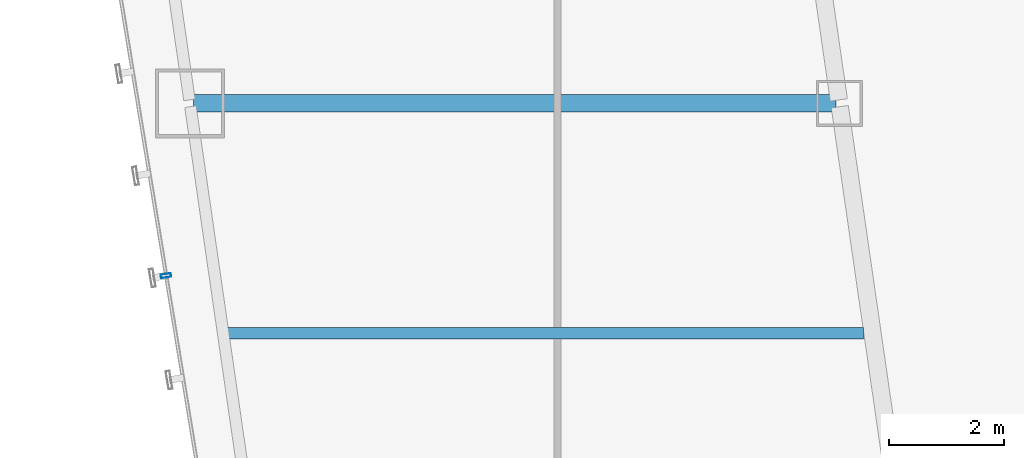
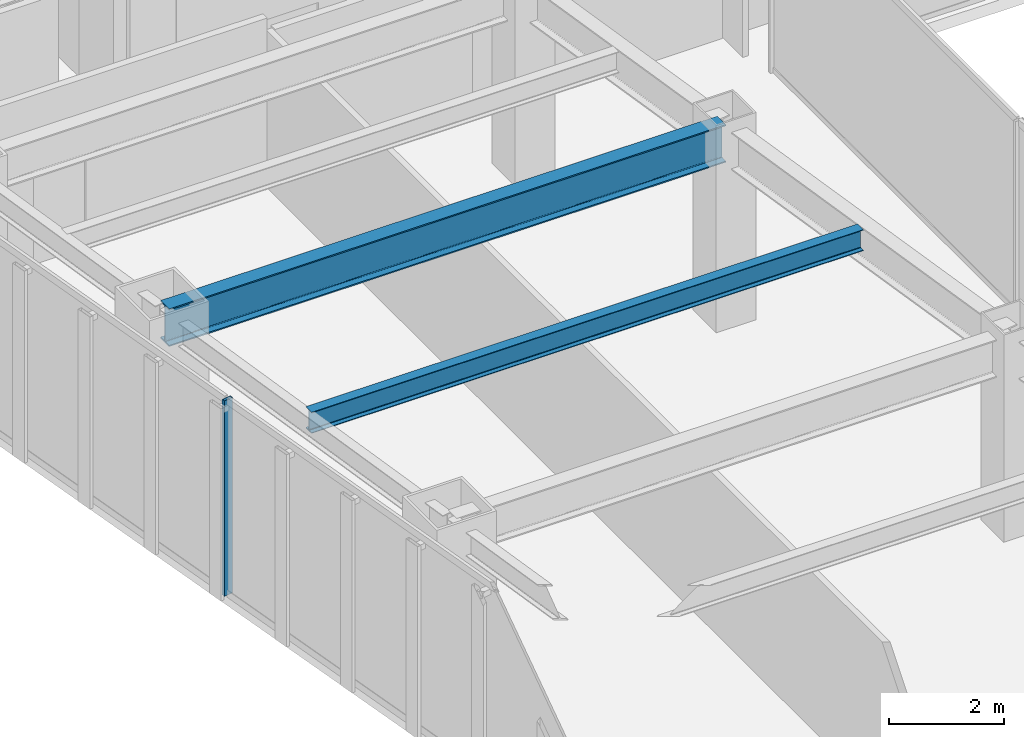
# One storey, part 11 of 47: 2 beams, 1 member, 1 element without a shape of its own.
"""IFC4 building model written with IfcOpenShell, lengths in metres."""

from ifc_helpers import new_model, si_unit, direction, frame, origin, origin_2d, place, context, subcontext, project, spatial, hollow_rectangle, i_section, extrude, material, material_profile, profile_set, type_object, element, aggregate, save


model = new_model("IFC4")

# Units and contexts
model_context = context("Model", 3, precision=1e-05, world=origin(), true_north=direction((0.0, 1.0)))
body_context = subcontext(model_context, "Body", "Model", "MODEL_VIEW")
ifc_project = project(units=[si_unit("LENGTHUNIT", "METRE"), si_unit("AREAUNIT", "SQUARE_METRE"), si_unit("VOLUMEUNIT", "CUBIC_METRE"), si_unit("PLANEANGLEUNIT", "RADIAN"), si_unit("MASSUNIT", "GRAM", prefix="KILO")], contexts=[model_context])

# Site, building, storey
site_placement = place(None, origin())
site = spatial("IfcSite", under=ifc_project, at=site_placement, CompositionType="ELEMENT")
building_placement = place(site_placement, origin())
building = spatial("IfcBuilding", under=site, at=building_placement, Name="Saevonmaru Cultural Tower", CompositionType="ELEMENT")
storey_placement = place(building_placement, frame((0.0, 0.0, 64.800048828125)))
storey = spatial("IfcBuildingStorey", under=building, at=storey_placement, Name="L13", CompositionType="ELEMENT", Elevation=64.800048828125)

# Beams
ifc_material_1 = material(Name="Steel SM420", Category="steel")
ifc_material_profile_1 = material_profile(ifc_material_1, i_section(OverallWidth=0.300048828125, OverallDepth=0.800048828125, WebThickness=0.013916015625, FlangeThickness=0.02587890625, FilletRadius=0.028076171875, at=origin_2d()), Name="H-800x300x14x26")
ifc_profile_set_1 = profile_set([ifc_material_profile_1], Name="Steel SM420")
beam_type_1 = type_object("IfcBeamType", Name="BM-G-H800", PredefinedType="BEAM", material=ifc_profile_set_1)
beam_1_placement = place(storey_placement, frame((8.376953125, 32.0, 3.75), z_axis=(1.0, 0.0, 0.0), x_axis=(0.0, 1.0, 0.0)))
element("IfcBeam", 1, at=beam_1_placement, inside=storey, type_object=beam_type_1, Name="L13 West Wing Transverse Girder 5", PredefinedType="BEAM", context=body_context, shape_type="SweptSolid", body=[
    extrude(i_section(OverallWidth=0.300048828125, OverallDepth=0.800048828125, WebThickness=0.013916015625, FlangeThickness=0.02587890625, FilletRadius=0.028076171875, at=origin_2d()), origin(), (0.0, 0.0, 1.0), 11.179931640625),
])
ifc_material_2 = material(Name="Steel SM355", Category="steel")
ifc_material_profile_2 = material_profile(ifc_material_2, i_section(OverallWidth=0.199951171875, OverallDepth=0.449951171875, WebThickness=0.009033203125, FlangeThickness=0.013916015625, FilletRadius=0.01806640625, at=origin_2d()), Name="H-450x200x9x14")
ifc_profile_set_2 = profile_set([ifc_material_profile_2], Name="Steel SM355")
beam_type_2 = type_object("IfcBeamType", Name="BM-J-H450", PredefinedType="JOIST", material=ifc_profile_set_2)
beam_2_placement = place(storey_placement, frame((8.95458984375, 28.0, 3.925048828125), z_axis=(1.0, 0.0, 0.0), x_axis=(0.0, 1.0, 0.0)))
element("IfcBeam", 2, at=beam_2_placement, inside=storey, type_object=beam_type_2, Name="L13 West Wing Floor Joist 4", PredefinedType="JOIST", context=body_context, shape_type="SweptSolid", body=[
    extrude(i_section(OverallWidth=0.199951171875, OverallDepth=0.449951171875, WebThickness=0.009033203125, FlangeThickness=0.013916015625, FilletRadius=0.01806640625, at=origin_2d()), origin(), (0.0, 0.0, 1.0), 11.08203125),
])

# Curtain wall, member
ifc_material_3 = material(Name="Satin Bronze Anodised Aluminium", Category="aluminium")
curtain_wall_type = type_object("IfcCurtainWallType", Name="CW-TYP-A", PredefinedType="NOTDEFINED", material=ifc_material_3)
curtain_wall_placement = place(storey_placement, origin())
curtain_wall = element("IfcCurtainWall", 3, at=curtain_wall_placement, inside=storey, type_object=curtain_wall_type, Name="L13 Unitised Curtain Wall E12", PredefinedType="NOTDEFINED")
ifc_material_profile_3 = material_profile(ifc_material_3, hollow_rectangle(XDim=0.06494140625, YDim=0.179931640625, WallThickness=0.00390625, at=origin_2d()), Name="ALU-MULL-180x65x4")
ifc_profile_set_3 = profile_set([ifc_material_profile_3], Name="Satin Bronze Anodised Aluminium")
member_type = type_object("IfcMemberType", Name="ML-CW-180x65", PredefinedType="MULLION", material=ifc_profile_set_3)
member_placement = place(storey_placement, frame((7.89990234375, 29.0, 0.0), z_axis=(0.0, 0.0, 1.0), x_axis=(0.161708868641, -0.986838508472, 0.0)))
member = element("IfcMember", 4, at=member_placement, type_object=member_type, Name="CW-TW-L13-E12 mullion 3", PredefinedType="MULLION", context=body_context, shape_type="SweptSolid", body=[
    extrude(hollow_rectangle(XDim=0.06494140625, YDim=0.179931640625, WallThickness=0.00390625, at=origin_2d()), origin(), (0.0, 0.0, 1.0), 4.14990234375),
])
aggregate(curtain_wall, [member])

save(model, "model.ifc")
